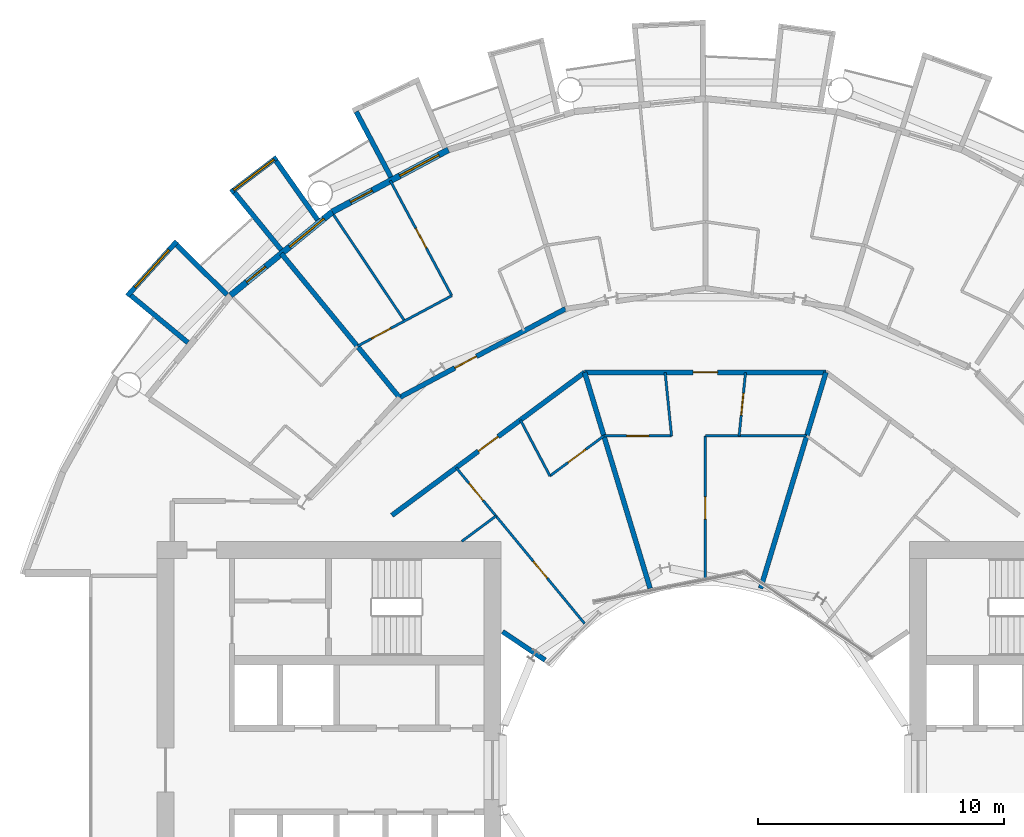
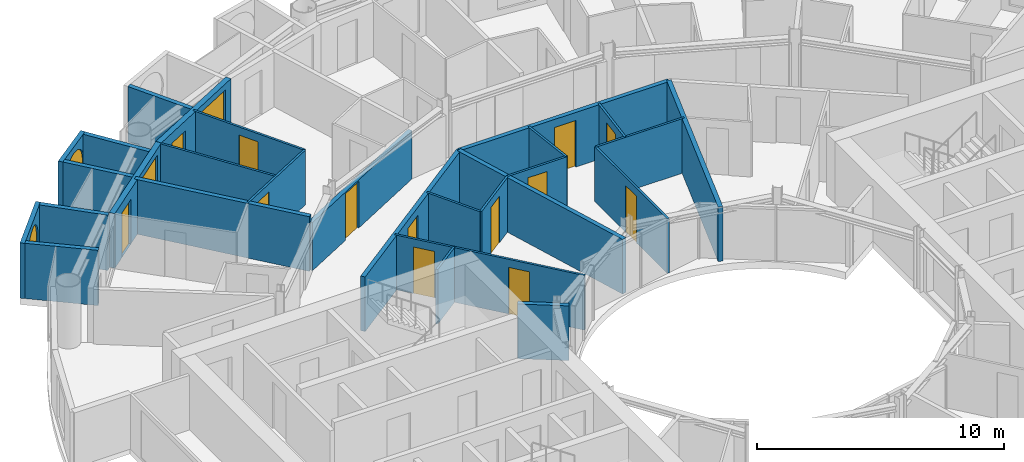
# One storey, part 19 of 26: 28 walls, 13 doors, 4 windows, 17 openings.
"""IFC4 building model written with IfcOpenShell, lengths in metres."""

from ifc_helpers import new_model, si_unit, direction, frame, frame_2d, origin, place, context, subcontext, project, spatial, rectangle, circle, extrude, material, layer, layer_set, type_object, element, fill, save


model = new_model("IFC4")

# Units and contexts
model_context = context("Model", 3, precision=1e-05, world=origin(), true_north=direction((0.0, 1.0)))
body_context = subcontext(model_context, "Body", "Model", "MODEL_VIEW")
ifc_project = project(units=[si_unit("LENGTHUNIT", "METRE"), si_unit("AREAUNIT", "SQUARE_METRE"), si_unit("VOLUMEUNIT", "CUBIC_METRE"), si_unit("PLANEANGLEUNIT", "RADIAN"), si_unit("MASSUNIT", "GRAM", prefix="KILO")], contexts=[model_context])

# Site, building, storey
site_placement = place(None, origin())
site = spatial("IfcSite", under=ifc_project, at=site_placement, CompositionType="ELEMENT")
building_placement = place(site_placement, origin())
building = spatial("IfcBuilding", under=site, at=building_placement, Name="Maasbend Ring Residences", CompositionType="ELEMENT")
storey_placement = place(building_placement, frame((0.0, 0.0, 75.800048828125)))
storey = spatial("IfcBuildingStorey", under=building, at=storey_placement, Name="L21", CompositionType="ELEMENT", Elevation=75.800048828125)

# Wall, opening, door
ifc_material_1 = material(Name="Concrete C30/37", Category="concrete")
ifc_layer_1 = layer(ifc_material_1, 0.199951171875)
ifc_layer_set_1 = layer_set([ifc_layer_1], Name="Concrete C30/37")
wall_type_1 = type_object("IfcWallType", Name="CORRIDOR WALL 200 CONCRETE", PredefinedType="PARTITIONING", material=ifc_layer_set_1)
wall_1_placement = place(storey_placement, frame((-12.7451171875, 10.35791015625, 0.0), z_axis=(0.0, 0.0, 1.0), x_axis=(0.803191461888, 0.595720971219, 0.0)))
wall_1 = element("IfcWall", 1, at=wall_1_placement, inside=storey, type_object=wall_type_1, Name="U-L21-w104", PredefinedType="PARTITIONING", context=body_context, shape_type="SweptSolid", body=[
    extrude(rectangle(XDim=9.760009765625, YDim=0.199951171875, at=frame_2d((4.8798828125, 0.0))), origin(), (0.0, 0.0, 1.0), 2.699951171875),
])
opening_1_placement = place(wall_1_placement, frame((4.3798828125, 0.0, 0.0)))
opening_1 = element("IfcOpeningElement", 2, at=opening_1_placement, cuts=wall_1, Name="Opening D-2129", PredefinedType="OPENING", context=body_context, shape_type="SweptSolid", body=[
    extrude(rectangle(XDim=1.0, YDim=2.300048828125, at=frame_2d((0.5, 1.14990234375))), frame((0.0, 0.10986328125, 0.0), z_axis=(0.0, -1.0, 0.0), x_axis=(1.0, 0.0, 0.0)), (0.0, 0.0, 1.0), 0.219970703125),
])
ifc_material_2 = material(Name="Timber, fire-rated, painted", Category="wood")
door_type_1 = type_object("IfcDoorType", Name="FLAT ENTRANCE DOOR 1000 X 2300 FIRE-RATED", OperationType="NOTDEFINED", PredefinedType="DOOR", material=ifc_material_2)
door_1_placement = place(opening_1_placement, origin())
door_1 = element("IfcDoor", 3, at=door_1_placement, inside=storey, type_object=door_type_1, Name="D-2129", OperationType="SINGLE_SWING_RIGHT", OverallHeight=2.300048828125, OverallWidth=1.0, PredefinedType="DOOR", context=body_context, shape_type="SweptSolid", body=[
    extrude(rectangle(XDim=1.0, YDim=2.300048828125, at=frame_2d((0.5, 1.14990234375))), frame((0.0, 0.02490234375, 0.0), z_axis=(0.0, -1.0, 0.0), x_axis=(1.0, 0.0, 0.0)), (0.0, 0.0, 1.0), 0.050048828125),
])
fill(opening_1, door_1)

wall_2_placement = place(storey_placement, frame((-4.906005859375, 16.172119140625, 0.0), z_axis=(0.0, 0.0, 1.0), x_axis=(1.0, 0.0, 0.0)))
wall_2 = element("IfcWall", 4, at=wall_2_placement, inside=storey, type_object=wall_type_1, Name="U-L21-w106", PredefinedType="PARTITIONING", context=body_context, shape_type="SweptSolid", body=[
    extrude(rectangle(XDim=9.81201171875, YDim=0.199951171875, at=frame_2d((4.906005859375, 0.0))), origin(), (0.0, 0.0, 1.0), 2.699951171875),
])
opening_2_placement = place(wall_2_placement, frame((4.406005859375, 0.0, 0.0)))
opening_2 = element("IfcOpeningElement", 5, at=opening_2_placement, cuts=wall_2, Name="Opening D-2125", PredefinedType="OPENING", context=body_context, shape_type="SweptSolid", body=[
    extrude(rectangle(XDim=1.0, YDim=2.300048828125, at=frame_2d((0.5, 1.14990234375))), frame((0.0, 0.10986328125, 0.0), z_axis=(0.0, -1.0, 0.0), x_axis=(1.0, 0.0, 0.0)), (0.0, 0.0, 1.0), 0.219970703125),
])
door_2_placement = place(opening_2_placement, origin())
door_2 = element("IfcDoor", 6, at=door_2_placement, inside=storey, type_object=door_type_1, Name="D-2125", OperationType="SINGLE_SWING_LEFT", OverallHeight=2.300048828125, OverallWidth=1.0, PredefinedType="DOOR", context=body_context, shape_type="SweptSolid", body=[
    extrude(rectangle(XDim=1.0, YDim=2.300048828125, at=frame_2d((0.5, 1.14990234375))), frame((0.0, 0.02490234375, 0.0), z_axis=(0.0, -1.0, 0.0), x_axis=(1.0, 0.0, 0.0)), (0.0, 0.0, 1.0), 0.050048828125),
])
fill(opening_2, door_2)

wall_3_placement = place(storey_placement, frame((-12.43408203125, 15.15087890625, 0.0), z_axis=(0.0, 0.0, 1.0), x_axis=(0.881899173092, 0.47143806433, 0.0)))
wall_3 = element("IfcWall", 7, at=wall_3_placement, inside=storey, type_object=wall_type_1, Name="U-L21-w107", PredefinedType="PARTITIONING", context=body_context, shape_type="SweptSolid", body=[
    extrude(rectangle(XDim=7.647216796875, YDim=0.199951171875, at=frame_2d((3.82373046875, 0.0))), origin(), (0.0, 0.0, 1.0), 2.3798828125),
])
opening_3_placement = place(wall_3_placement, frame((2.550048828125, 0.0, 0.0)))
opening_3 = element("IfcOpeningElement", 8, at=opening_3_placement, cuts=wall_3, Name="Opening D-2114", PredefinedType="OPENING", context=body_context, shape_type="SweptSolid", body=[
    extrude(rectangle(XDim=1.0, YDim=2.300048828125, at=frame_2d((0.5, 1.14990234375))), frame((0.0, 0.10986328125, 0.0), z_axis=(0.0, -1.0, 0.0), x_axis=(1.0, 0.0, 0.0)), (0.0, 0.0, 1.0), 0.219970703125),
])
door_3_placement = place(opening_3_placement, origin())
door_3 = element("IfcDoor", 9, at=door_3_placement, inside=storey, type_object=door_type_1, Name="D-2114", OperationType="SINGLE_SWING_LEFT", OverallHeight=2.300048828125, OverallWidth=1.0, PredefinedType="DOOR", context=body_context, shape_type="SweptSolid", body=[
    extrude(rectangle(XDim=1.0, YDim=2.300048828125, at=frame_2d((0.5, 1.14990234375))), frame((0.0, 0.02490234375, 0.0), z_axis=(0.0, -1.0, 0.0), x_axis=(1.0, 0.0, 0.0)), (0.0, 0.0, 1.0), 0.050048828125),
])
fill(opening_3, door_3)

# Wall
ifc_material_3 = material(Name="Pale anodised aluminium panel", Category="aluminium")
ifc_layer_2 = layer(ifc_material_3, 0.199951171875)
ifc_layer_set_2 = layer_set([ifc_layer_2], Name="EW-BOX")
wall_type_2 = type_object("IfcWallType", Name="EW-BOX", PredefinedType="SOLIDWALL", material=ifc_layer_set_2)
wall_4_placement = place(storey_placement, frame((-12.787109375, 24.113037109375, -0.030029296875), z_axis=(0.0, 0.0, 1.0), x_axis=(-0.468365282436, 0.883534924159, 0.0)))
element("IfcWall", 10, at=wall_4_placement, inside=storey, type_object=wall_type_2, Name="Box side wall N15 right", PredefinedType="SOLIDWALL", context=body_context, shape_type="SweptSolid", body=[
    extrude(rectangle(XDim=3.006103515625, YDim=0.199951171875, at=frame_2d((1.5029296875, 0.0))), origin(), (0.0, 0.0, 1.0), 2.72998046875),
])

# Wall, opening, window
wall_5_placement = place(storey_placement, frame((-17.427001953125, 24.908935546875, -0.030029296875), z_axis=(0.0, 0.0, 1.0), x_axis=(-0.796842165306, -0.60418752353, 0.0)))
wall_5 = element("IfcWall", 11, at=wall_5_placement, inside=storey, type_object=wall_type_2, Name="Box front N17", PredefinedType="SOLIDWALL", context=body_context, shape_type="SweptSolid", body=[
    extrude(rectangle(XDim=2.3369140625, YDim=0.199951171875, at=frame_2d((1.16845703125, 0.0))), origin(), (0.0, 0.0, 1.0), 2.72998046875),
])
opening_4_placement = place(wall_5_placement, frame((0.128173828125, 0.0, 0.330078125)))
opening_4 = element("IfcOpeningElement", 12, at=opening_4_placement, cuts=wall_5, Name="Opening W-RD", PredefinedType="OPENING", context=body_context, shape_type="SweptSolid", body=[
    extrude(circle(Radius=1.0400390625, at=frame_2d((1.0400390625, 1.0400390625))), frame((0.0, 0.10986328125, 0.0), z_axis=(0.0, -1.0, 0.0), x_axis=(1.0, 0.0, 0.0)), (0.0, 0.0, 1.0), 0.219970703125),
])
ifc_material_4 = material(Name="Aluminium and clear glass", Category="aluminium")
window_type_1 = type_object("IfcWindowType", Name="W-RD", PartitioningType="SINGLE_PANEL", PredefinedType="WINDOW", material=ifc_material_4)
window_1_placement = place(opening_4_placement, origin())
window_1 = element("IfcWindow", 13, at=window_1_placement, inside=storey, type_object=window_type_1, Name="Round window N17", OverallHeight=2.080078125, OverallWidth=2.080078125, PartitioningType="SINGLE_PANEL", PredefinedType="WINDOW", context=body_context, shape_type="SweptSolid", body=[
    extrude(circle(Radius=1.0400390625, at=frame_2d((1.0400390625, 1.0400390625))), frame((0.0, 0.030029296875, 0.0), z_axis=(0.0, -1.0, 0.0), x_axis=(1.0, 0.0, 0.0)), (0.0, 0.0, 1.0), 0.06005859375),
])
fill(opening_4, window_1)

# Walls
wall_6_placement = place(storey_placement, frame((-15.764892578125, 22.3701171875, -0.030029296875), z_axis=(0.0, 0.0, 1.0), x_axis=(-0.576274612209, 0.817256123454, 0.0)))
element("IfcWall", 14, at=wall_6_placement, inside=storey, type_object=wall_type_2, Name="Box side wall N17 left", PredefinedType="SOLIDWALL", context=body_context, shape_type="SweptSolid", body=[
    extrude(rectangle(XDim=2.932861328125, YDim=0.199951171875, at=frame_2d((1.46630859375, 0.0))), origin(), (0.0, 0.0, 1.0), 2.72998046875),
])
wall_7_placement = place(storey_placement, frame((-17.24609375, 21.155029296875, -0.030029296875), z_axis=(0.0, 0.0, 1.0), x_axis=(-0.631741648902, 0.775179004516, 0.0)))
element("IfcWall", 15, at=wall_7_placement, inside=storey, type_object=wall_type_2, Name="Box side wall N17 right", PredefinedType="SOLIDWALL", context=body_context, shape_type="SweptSolid", body=[
    extrude(rectangle(XDim=3.005859375, YDim=0.199951171875, at=frame_2d((1.5029296875, 0.0))), origin(), (0.0, 0.0, 1.0), 2.72998046875),
])

# Wall, opening, window
wall_8_placement = place(storey_placement, frame((-21.492919921875, 21.5, -0.030029296875), z_axis=(0.0, 0.0, 1.0), x_axis=(-0.671506829416, -0.740998365753, 0.0)))
wall_8 = element("IfcWall", 16, at=wall_8_placement, inside=storey, type_object=wall_type_2, Name="Box front N19", PredefinedType="SOLIDWALL", context=body_context, shape_type="SweptSolid", body=[
    extrude(rectangle(XDim=2.9931640625, YDim=0.199951171875, at=frame_2d((1.49658203125, 0.0))), origin(), (0.0, 0.0, 1.0), 2.72998046875),
])
opening_5_placement = place(wall_8_placement, frame((0.45654296875, 0.0, 0.330078125)))
opening_5 = element("IfcOpeningElement", 17, at=opening_5_placement, cuts=wall_8, Name="Opening W-RD", PredefinedType="OPENING", context=body_context, shape_type="SweptSolid", body=[
    extrude(circle(Radius=1.0400390625, at=frame_2d((1.0400390625, 1.0400390625))), frame((0.0, 0.10986328125, 0.0), z_axis=(0.0, -1.0, 0.0), x_axis=(1.0, 0.0, 0.0)), (0.0, 0.0, 1.0), 0.219970703125),
])
window_2_placement = place(opening_5_placement, origin())
window_2 = element("IfcWindow", 18, at=window_2_placement, inside=storey, type_object=window_type_1, Name="Round window N19", OverallHeight=2.080078125, OverallWidth=2.080078125, PartitioningType="SINGLE_PANEL", PredefinedType="WINDOW", context=body_context, shape_type="SweptSolid", body=[
    extrude(circle(Radius=1.0400390625, at=frame_2d((1.0400390625, 1.0400390625))), frame((0.0, 0.030029296875, 0.0), z_axis=(0.0, -1.0, 0.0), x_axis=(1.0, 0.0, 0.0)), (0.0, 0.0, 1.0), 0.06005859375),
])
fill(opening_5, window_2)

# Walls
wall_9_placement = place(storey_placement, frame((-19.449951171875, 19.322998046875, -0.030029296875), z_axis=(0.0, 0.0, 1.0), x_axis=(-0.709727076896, 0.704476739375, 0.0)))
element("IfcWall", 19, at=wall_9_placement, inside=storey, type_object=wall_type_2, Name="Box side wall N19 left", PredefinedType="SOLIDWALL", context=body_context, shape_type="SweptSolid", body=[
    extrude(rectangle(XDim=2.883056640625, YDim=0.199951171875, at=frame_2d((1.44140625, 0.0))), origin(), (0.0, 0.0, 1.0), 2.72998046875),
])
wall_10_placement = place(storey_placement, frame((-21.041015625, 17.384033203125, -0.030029296875), z_axis=(0.0, 0.0, 1.0), x_axis=(-0.770784861449, 0.63709551667, 0.0)))
element("IfcWall", 20, at=wall_10_placement, inside=storey, type_object=wall_type_2, Name="Box side wall N19 right", PredefinedType="SOLIDWALL", context=body_context, shape_type="SweptSolid", body=[
    extrude(rectangle(XDim=3.005859375, YDim=0.199951171875, at=frame_2d((1.5029296875, 0.0))), origin(), (0.0, 0.0, 1.0), 2.72998046875),
])

# Wall, openings, door, window
ifc_material_5 = material(Name="Aluminium clad insulated panel", Category="aluminium")
ifc_layer_3 = layer(ifc_material_5, 0.25)
ifc_layer_set_3 = layer_set([ifc_layer_3], Name="EW-GL")
wall_type_3 = type_object("IfcWallType", Name="EW-GL", PredefinedType="SOLIDWALL", material=ifc_layer_set_3)
wall_11_placement = place(storey_placement, frame((-10.447021484375, 25.221923828125, 0.0), z_axis=(0.0, 0.0, 1.0), x_axis=(-0.881915646801, -0.471407246368, 0.0)))
wall_11 = element("IfcWall", 21, at=wall_11_placement, inside=storey, type_object=wall_type_3, Name="External wall N08", PredefinedType="SOLIDWALL", context=body_context, shape_type="SweptSolid", body=[
    extrude(rectangle(XDim=5.35205078125, YDim=0.25, at=frame_2d((2.676025390625, 0.0))), origin(), (0.0, 0.0, 1.0), 2.699951171875),
])
opening_6_placement = place(wall_11_placement, frame((0.441162109375, 0.0, 0.300048828125)))
opening_6 = element("IfcOpeningElement", 22, at=opening_6_placement, cuts=wall_11, Name="Opening W-BX", PredefinedType="OPENING", context=body_context, shape_type="SweptSolid", body=[
    extrude(rectangle(XDim=1.800048828125, YDim=2.10009765625, at=frame_2d((0.89990234375, 1.050048828125))), frame((0.0, 0.135009765625, 0.0), z_axis=(0.0, -1.0, 0.0), x_axis=(1.0, 0.0, 0.0)), (0.0, 0.0, 1.0), 0.27001953125),
])
opening_7_placement = place(wall_11_placement, frame((3.510498046875, 0.0, 0.0)))
opening_7 = element("IfcOpeningElement", 23, at=opening_7_placement, cuts=wall_11, Name="Opening D-LG", PredefinedType="OPENING", context=body_context, shape_type="SweptSolid", body=[
    extrude(rectangle(XDim=1.0, YDim=2.199951171875, at=frame_2d((0.5, 1.10009765625))), frame((0.0, 0.135009765625, 0.0), z_axis=(0.0, -1.0, 0.0), x_axis=(1.0, 0.0, 0.0)), (0.0, 0.0, 1.0), 0.27001953125),
])
ifc_material_6 = material(Name="Aluminium and clear glass", Category="aluminium")
door_type_2 = type_object("IfcDoorType", Name="D-LG", OperationType="SINGLE_SWING_LEFT", PredefinedType="DOOR", material=ifc_material_6)
door_4_placement = place(opening_7_placement, origin())
door_4 = element("IfcDoor", 24, at=door_4_placement, inside=storey, type_object=door_type_2, Name="Loggia door N16", OperationType="SINGLE_SWING_LEFT", OverallHeight=2.199951171875, OverallWidth=1.0, PredefinedType="DOOR", context=body_context, shape_type="SweptSolid", body=[
    extrude(rectangle(XDim=1.0, YDim=2.199951171875, at=frame_2d((0.5, 1.10009765625))), frame((0.0, 0.02490234375, 0.0), z_axis=(0.0, -1.0, 0.0), x_axis=(1.0, 0.0, 0.0)), (0.0, 0.0, 1.0), 0.050048828125),
])
fill(opening_7, door_4)
ifc_material_7 = material(Name="Aluminium and clear glass", Category="aluminium")
window_type_2 = type_object("IfcWindowType", Name="W-BX", PartitioningType="DOUBLE_PANEL_VERTICAL", PredefinedType="WINDOW", material=ifc_material_7)
window_3_placement = place(opening_6_placement, origin())
window_3 = element("IfcWindow", 25, at=window_3_placement, inside=storey, type_object=window_type_2, Name="Window N15 room to box", OverallHeight=2.10009765625, OverallWidth=1.800048828125, PartitioningType="SINGLE_PANEL", PredefinedType="WINDOW", context=body_context, shape_type="SweptSolid", body=[
    extrude(rectangle(XDim=1.800048828125, YDim=2.10009765625, at=frame_2d((0.89990234375, 1.050048828125))), frame((0.0, 0.030029296875, 0.0), z_axis=(0.0, -1.0, 0.0), x_axis=(1.0, 0.0, 0.0)), (0.0, 0.0, 1.0), 0.06005859375),
])
fill(opening_6, window_3)

wall_12_placement = place(storey_placement, frame((-15.1669921875, 22.698974609375, 0.0), z_axis=(0.0, 0.0, 1.0), x_axis=(-0.773019449054, -0.634382322723, 0.0)))
wall_12 = element("IfcWall", 26, at=wall_12_placement, inside=storey, type_object=wall_type_3, Name="External wall N09", PredefinedType="SOLIDWALL", context=body_context, shape_type="SweptSolid", body=[
    extrude(rectangle(XDim=5.351806640625, YDim=0.25, at=frame_2d((2.67578125, 0.0))), origin(), (0.0, 0.0, 1.0), 2.699951171875),
])
opening_8_placement = place(wall_12_placement, frame((0.441162109375, 0.0, 0.300048828125)))
opening_8 = element("IfcOpeningElement", 27, at=opening_8_placement, cuts=wall_12, Name="Opening W-BX", PredefinedType="OPENING", context=body_context, shape_type="SweptSolid", body=[
    extrude(rectangle(XDim=1.800048828125, YDim=2.10009765625, at=frame_2d((0.89990234375, 1.050048828125))), frame((0.0, 0.135009765625, 0.0), z_axis=(0.0, -1.0, 0.0), x_axis=(1.0, 0.0, 0.0)), (0.0, 0.0, 1.0), 0.27001953125),
])
opening_9_placement = place(wall_12_placement, frame((3.510498046875, 0.0, 0.0)))
opening_9 = element("IfcOpeningElement", 28, at=opening_9_placement, cuts=wall_12, Name="Opening D-LG", PredefinedType="OPENING", context=body_context, shape_type="SweptSolid", body=[
    extrude(rectangle(XDim=1.0, YDim=2.199951171875, at=frame_2d((0.5, 1.10009765625))), frame((0.0, 0.135009765625, 0.0), z_axis=(0.0, -1.0, 0.0), x_axis=(1.0, 0.0, 0.0)), (0.0, 0.0, 1.0), 0.27001953125),
])
door_5_placement = place(opening_9_placement, origin())
door_5 = element("IfcDoor", 29, at=door_5_placement, inside=storey, type_object=door_type_2, Name="Loggia door N18", OperationType="SINGLE_SWING_LEFT", OverallHeight=2.199951171875, OverallWidth=1.0, PredefinedType="DOOR", context=body_context, shape_type="SweptSolid", body=[
    extrude(rectangle(XDim=1.0, YDim=2.199951171875, at=frame_2d((0.5, 1.10009765625))), frame((0.0, 0.02490234375, 0.0), z_axis=(0.0, -1.0, 0.0), x_axis=(1.0, 0.0, 0.0)), (0.0, 0.0, 1.0), 0.050048828125),
])
fill(opening_9, door_5)
window_4_placement = place(opening_8_placement, origin())
window_4 = element("IfcWindow", 30, at=window_4_placement, inside=storey, type_object=window_type_2, Name="Window N17 room to box", OverallHeight=2.10009765625, OverallWidth=1.800048828125, PartitioningType="SINGLE_PANEL", PredefinedType="WINDOW", context=body_context, shape_type="SweptSolid", body=[
    extrude(rectangle(XDim=1.800048828125, YDim=2.10009765625, at=frame_2d((0.89990234375, 1.050048828125))), frame((0.0, 0.030029296875, 0.0), z_axis=(0.0, -1.0, 0.0), x_axis=(1.0, 0.0, 0.0)), (0.0, 0.0, 1.0), 0.06005859375),
])
fill(opening_8, window_4)

# Wall
ifc_material_8 = material(Name="Gypsum board on steel studs", Category="steel")
ifc_layer_4 = layer(ifc_material_8, 0.10009765625)
ifc_layer_set_4 = layer_set([ifc_layer_4], Name="PARTITION 100 GYPSUM")
wall_type_4 = type_object("IfcWallType", Name="PARTITION 100 GYPSUM", PredefinedType="PARTITIONING", material=ifc_layer_set_4)
wall_13_placement = place(storey_placement, frame((-15.118896484375, 22.5810546875, 0.0), z_axis=(0.0, 0.0, 1.0), x_axis=(0.556271707676, -0.83100047367, 0.0)))
element("IfcWall", 31, at=wall_13_placement, inside=storey, type_object=wall_type_4, Name="U-L21-w044", PredefinedType="PARTITIONING", context=body_context, shape_type="SweptSolid", body=[
    extrude(rectangle(XDim=5.195068359375, YDim=0.10009765625, at=frame_2d((2.59765625, 0.0))), origin(), (0.0, 0.0, 1.0), 2.699951171875),
])

# Wall, opening, door
wall_14_placement = place(storey_placement, frame((-12.81005859375, 23.966064453125, 0.0), z_axis=(0.0, 0.0, 1.0), x_axis=(0.47140999111, -0.881914179658, 0.0)))
wall_14 = element("IfcWall", 32, at=wall_14_placement, inside=storey, type_object=wall_type_4, Name="U-L21-w045", PredefinedType="PARTITIONING", context=body_context, shape_type="SweptSolid", body=[
    extrude(rectangle(XDim=5.30322265625, YDim=0.10009765625, at=frame_2d((2.651611328125, 0.0))), origin(), (0.0, 0.0, 1.0), 2.699951171875),
])
opening_10_placement = place(wall_14_placement, frame((2.201904296875, 0.0, 0.0)))
opening_10 = element("IfcOpeningElement", 33, at=opening_10_placement, cuts=wall_14, Name="Opening D-2116", PredefinedType="OPENING", context=body_context, shape_type="SweptSolid", body=[
    extrude(rectangle(XDim=0.89990234375, YDim=2.300048828125, at=frame_2d((0.449951171875, 1.14990234375))), frame((0.0, 0.06005859375, 0.0), z_axis=(0.0, -1.0, 0.0), x_axis=(1.0, 0.0, 0.0)), (0.0, 0.0, 1.0), 0.1201171875),
])
ifc_material_9 = material(Name="Timber, painted", Category="wood")
door_type_3 = type_object("IfcDoorType", Name="INTERNAL DOOR 900 X 2300", OperationType="NOTDEFINED", PredefinedType="DOOR", material=ifc_material_9)
door_6_placement = place(opening_10_placement, origin())
door_6 = element("IfcDoor", 34, at=door_6_placement, inside=storey, type_object=door_type_3, Name="D-2116", OperationType="SINGLE_SWING_RIGHT", OverallHeight=2.300048828125, OverallWidth=0.89990234375, PredefinedType="DOOR", context=body_context, shape_type="SweptSolid", body=[
    extrude(rectangle(XDim=0.89990234375, YDim=2.300048828125, at=frame_2d((0.449951171875, 1.14990234375))), frame((0.0, 0.02490234375, 0.0), z_axis=(0.0, -1.0, 0.0), x_axis=(1.0, 0.0, 0.0)), (0.0, 0.0, 1.0), 0.050048828125),
])
fill(opening_10, door_6)

# Wall, openings, doors
wall_15_placement = place(storey_placement, frame((-10.132080078125, 12.2958984375, 0.0), z_axis=(0.0, 0.0, 1.0), x_axis=(0.635976043025, -0.771708800454, 0.0)))
wall_15 = element("IfcWall", 35, at=wall_15_placement, inside=storey, type_object=wall_type_4, Name="U-L21-w050", PredefinedType="PARTITIONING", context=body_context, shape_type="SweptSolid", body=[
    extrude(rectangle(XDim=8.212890625, YDim=0.10009765625, at=frame_2d((4.1064453125, 0.0))), origin(), (0.0, 0.0, 1.0), 2.699951171875),
])
opening_11_placement = place(wall_15_placement, frame((0.822998046875, 0.0, 0.0)))
opening_11 = element("IfcOpeningElement", 36, at=opening_11_placement, cuts=wall_15, Name="Opening D-2131", PredefinedType="OPENING", context=body_context, shape_type="SweptSolid", body=[
    extrude(rectangle(XDim=0.89990234375, YDim=2.300048828125, at=frame_2d((0.449951171875, 1.14990234375))), frame((0.0, 0.06005859375, 0.0), z_axis=(0.0, -1.0, 0.0), x_axis=(1.0, 0.0, 0.0)), (0.0, 0.0, 1.0), 0.1201171875),
])
opening_12_placement = place(wall_15_placement, frame((4.928955078125, 0.0, 0.0)))
opening_12 = element("IfcOpeningElement", 37, at=opening_12_placement, cuts=wall_15, Name="Opening D-2132", PredefinedType="OPENING", context=body_context, shape_type="SweptSolid", body=[
    extrude(rectangle(XDim=0.89990234375, YDim=2.300048828125, at=frame_2d((0.449951171875, 1.14990234375))), frame((0.0, 0.06005859375, 0.0), z_axis=(0.0, -1.0, 0.0), x_axis=(1.0, 0.0, 0.0)), (0.0, 0.0, 1.0), 0.1201171875),
])
door_7_placement = place(opening_11_placement, origin())
door_7 = element("IfcDoor", 38, at=door_7_placement, inside=storey, type_object=door_type_3, Name="D-2131", OperationType="SINGLE_SWING_LEFT", OverallHeight=2.300048828125, OverallWidth=0.89990234375, PredefinedType="DOOR", context=body_context, shape_type="SweptSolid", body=[
    extrude(rectangle(XDim=0.89990234375, YDim=2.300048828125, at=frame_2d((0.449951171875, 1.14990234375))), frame((0.0, 0.02490234375, 0.0), z_axis=(0.0, -1.0, 0.0), x_axis=(1.0, 0.0, 0.0)), (0.0, 0.0, 1.0), 0.050048828125),
])
fill(opening_11, door_7)
door_8_placement = place(opening_12_placement, origin())
door_8 = element("IfcDoor", 39, at=door_8_placement, inside=storey, type_object=door_type_3, Name="D-2132", OperationType="SINGLE_SWING_RIGHT", OverallHeight=2.300048828125, OverallWidth=0.89990234375, PredefinedType="DOOR", context=body_context, shape_type="SweptSolid", body=[
    extrude(rectangle(XDim=0.89990234375, YDim=2.300048828125, at=frame_2d((0.449951171875, 1.14990234375))), frame((0.0, 0.02490234375, 0.0), z_axis=(0.0, -1.0, 0.0), x_axis=(1.0, 0.0, 0.0)), (0.0, 0.0, 1.0), 0.050048828125),
])
fill(opening_12, door_8)

# Walls
wall_16_placement = place(storey_placement, frame((-7.51904296875, 14.23388671875, 0.0), z_axis=(0.0, 0.0, 1.0), x_axis=(0.467001992543, -0.884256263173, 0.0)))
element("IfcWall", 40, at=wall_16_placement, inside=storey, type_object=wall_type_4, Name="U-L21-w055", PredefinedType="PARTITIONING", context=body_context, shape_type="SweptSolid", body=[
    extrude(rectangle(XDim=2.571533203125, YDim=0.10009765625, at=frame_2d((1.28564453125, 0.0))), origin(), (0.0, 0.0, 1.0), 2.699951171875),
])
wall_17_placement = place(storey_placement, frame((-1.635009765625, 16.172119140625, 0.0), z_axis=(0.0, 0.0, 1.0), x_axis=(0.100527855112, -0.994934244233, 0.0)))
element("IfcWall", 41, at=wall_17_placement, inside=storey, type_object=wall_type_4, Name="U-L21-w062", PredefinedType="PARTITIONING", context=body_context, shape_type="SweptSolid", body=[
    extrude(rectangle(XDim=2.59619140625, YDim=0.10009765625, at=frame_2d((1.298095703125, 0.0))), origin(), (0.0, 0.0, 1.0), 2.699951171875),
])

# Wall, opening, door
wall_18_placement = place(storey_placement, frame((0.0, 7.719970703125, 0.0), z_axis=(0.0, 0.0, 1.0), x_axis=(0.0, 1.0, 0.0)))
wall_18 = element("IfcWall", 42, at=wall_18_placement, inside=storey, type_object=wall_type_4, Name="U-L21-w065", PredefinedType="PARTITIONING", context=body_context, shape_type="SweptSolid", body=[
    extrude(rectangle(XDim=5.869140625, YDim=0.10009765625, at=frame_2d((2.9345703125, 0.0))), origin(), (0.0, 0.0, 1.0), 2.699951171875),
])
opening_13_placement = place(wall_18_placement, frame((2.485107421875, 0.0, 0.0)))
opening_13 = element("IfcOpeningElement", 43, at=opening_13_placement, cuts=wall_18, Name="Opening D-2128", PredefinedType="OPENING", context=body_context, shape_type="SweptSolid", body=[
    extrude(rectangle(XDim=0.89990234375, YDim=2.300048828125, at=frame_2d((0.449951171875, 1.14990234375))), frame((0.0, 0.06005859375, 0.0), z_axis=(0.0, -1.0, 0.0), x_axis=(1.0, 0.0, 0.0)), (0.0, 0.0, 1.0), 0.1201171875),
])
door_9_placement = place(opening_13_placement, origin())
door_9 = element("IfcDoor", 44, at=door_9_placement, inside=storey, type_object=door_type_3, Name="D-2128", OperationType="SINGLE_SWING_RIGHT", OverallHeight=2.300048828125, OverallWidth=0.89990234375, PredefinedType="DOOR", context=body_context, shape_type="SweptSolid", body=[
    extrude(rectangle(XDim=0.89990234375, YDim=2.300048828125, at=frame_2d((0.449951171875, 1.14990234375))), frame((0.0, 0.02490234375, 0.0), z_axis=(0.0, -1.0, 0.0), x_axis=(1.0, 0.0, 0.0)), (0.0, 0.0, 1.0), 0.050048828125),
])
fill(opening_13, door_9)

wall_19_placement = place(storey_placement, frame((1.3740234375, 13.589111328125, 0.0), z_axis=(0.0, 0.0, 1.0), x_axis=(0.100527855112, 0.994934244233, 0.0)))
wall_19 = element("IfcWall", 45, at=wall_19_placement, inside=storey, type_object=wall_type_4, Name="U-L21-w067", PredefinedType="PARTITIONING", context=body_context, shape_type="SweptSolid", body=[
    extrude(rectangle(XDim=2.59619140625, YDim=0.10009765625, at=frame_2d((1.298095703125, 0.0))), origin(), (0.0, 0.0, 1.0), 2.699951171875),
])
opening_14_placement = place(wall_19_placement, frame((0.847900390625, 0.0, 0.0)))
opening_14 = element("IfcOpeningElement", 46, at=opening_14_placement, cuts=wall_19, Name="Opening D-2127", PredefinedType="OPENING", context=body_context, shape_type="SweptSolid", body=[
    extrude(rectangle(XDim=0.89990234375, YDim=2.300048828125, at=frame_2d((0.449951171875, 1.14990234375))), frame((0.0, 0.06005859375, 0.0), z_axis=(0.0, -1.0, 0.0), x_axis=(1.0, 0.0, 0.0)), (0.0, 0.0, 1.0), 0.1201171875),
])
door_10_placement = place(opening_14_placement, origin())
door_10 = element("IfcDoor", 47, at=door_10_placement, inside=storey, type_object=door_type_3, Name="D-2127", OperationType="SINGLE_SWING_RIGHT", OverallHeight=2.300048828125, OverallWidth=0.89990234375, PredefinedType="DOOR", context=body_context, shape_type="SweptSolid", body=[
    extrude(rectangle(XDim=0.89990234375, YDim=2.300048828125, at=frame_2d((0.449951171875, 1.14990234375))), frame((0.0, 0.02490234375, 0.0), z_axis=(0.0, -1.0, 0.0), x_axis=(1.0, 0.0, 0.0)), (0.0, 0.0, 1.0), 0.050048828125),
])
fill(opening_14, door_10)

# Wall
wall_20_placement = place(storey_placement, frame((-9.903076171875, 9.300048828125, 0.0), z_axis=(0.0, 0.0, 1.0), x_axis=(0.803135014325, 0.595797070121, 0.0)))
element("IfcWall", 48, at=wall_20_placement, inside=storey, type_object=wall_type_4, Name="U-L21-w098", PredefinedType="PARTITIONING", context=body_context, shape_type="SweptSolid", body=[
    extrude(rectangle(XDim=1.732177734375, YDim=0.10009765625, at=frame_2d((0.8662109375, 0.0))), origin(), (0.0, 0.0, 1.0), 2.699951171875),
])

# Wall, opening, door
wall_21_placement = place(storey_placement, frame((-6.318115234375, 11.9599609375, 0.0), z_axis=(0.0, 0.0, 1.0), x_axis=(0.803128348509, 0.595806055542, 0.0)))
wall_21 = element("IfcWall", 49, at=wall_21_placement, inside=storey, type_object=wall_type_4, Name="U-L21-w099", PredefinedType="PARTITIONING", context=body_context, shape_type="SweptSolid", body=[
    extrude(rectangle(XDim=2.734375, YDim=0.10009765625, at=frame_2d((1.3671875, 0.0))), origin(), (0.0, 0.0, 1.0), 2.699951171875),
])
opening_15_placement = place(wall_21_placement, frame((0.9169921875, 0.0, 0.0)))
opening_15 = element("IfcOpeningElement", 50, at=opening_15_placement, cuts=wall_21, Name="Opening D-2130", PredefinedType="OPENING", context=body_context, shape_type="SweptSolid", body=[
    extrude(rectangle(XDim=0.89990234375, YDim=2.300048828125, at=frame_2d((0.449951171875, 1.14990234375))), frame((0.0, 0.06005859375, 0.0), z_axis=(0.0, -1.0, 0.0), x_axis=(1.0, 0.0, 0.0)), (0.0, 0.0, 1.0), 0.1201171875),
])
door_11_placement = place(opening_15_placement, origin())
door_11 = element("IfcDoor", 51, at=door_11_placement, inside=storey, type_object=door_type_3, Name="D-2130", OperationType="SINGLE_SWING_RIGHT", OverallHeight=2.300048828125, OverallWidth=0.89990234375, PredefinedType="DOOR", context=body_context, shape_type="SweptSolid", body=[
    extrude(rectangle(XDim=0.89990234375, YDim=2.300048828125, at=frame_2d((0.449951171875, 1.14990234375))), frame((0.0, 0.02490234375, 0.0), z_axis=(0.0, -1.0, 0.0), x_axis=(1.0, 0.0, 0.0)), (0.0, 0.0, 1.0), 0.050048828125),
])
fill(opening_15, door_11)

wall_22_placement = place(storey_placement, frame((-4.1220703125, 13.589111328125, 0.0), z_axis=(0.0, 0.0, 1.0), x_axis=(1.0, 0.0, 0.0)))
wall_22 = element("IfcWall", 52, at=wall_22_placement, inside=storey, type_object=wall_type_4, Name="U-L21-w102", PredefinedType="PARTITIONING", context=body_context, shape_type="SweptSolid", body=[
    extrude(rectangle(XDim=2.748046875, YDim=0.10009765625, at=frame_2d((1.3740234375, 0.0))), origin(), (0.0, 0.0, 1.0), 2.699951171875),
])
opening_16_placement = place(wall_22_placement, frame((0.924072265625, 0.0, 0.0)))
opening_16 = element("IfcOpeningElement", 53, at=opening_16_placement, cuts=wall_22, Name="Opening D-2126", PredefinedType="OPENING", context=body_context, shape_type="SweptSolid", body=[
    extrude(rectangle(XDim=0.89990234375, YDim=2.300048828125, at=frame_2d((0.449951171875, 1.14990234375))), frame((0.0, 0.06005859375, 0.0), z_axis=(0.0, -1.0, 0.0), x_axis=(1.0, 0.0, 0.0)), (0.0, 0.0, 1.0), 0.1201171875),
])
door_12_placement = place(opening_16_placement, origin())
door_12 = element("IfcDoor", 54, at=door_12_placement, inside=storey, type_object=door_type_3, Name="D-2126", OperationType="SINGLE_SWING_LEFT", OverallHeight=2.300048828125, OverallWidth=0.89990234375, PredefinedType="DOOR", context=body_context, shape_type="SweptSolid", body=[
    extrude(rectangle(XDim=0.89990234375, YDim=2.300048828125, at=frame_2d((0.449951171875, 1.14990234375))), frame((0.0, 0.02490234375, 0.0), z_axis=(0.0, -1.0, 0.0), x_axis=(1.0, 0.0, 0.0)), (0.0, 0.0, 1.0), 0.050048828125),
])
fill(opening_16, door_12)

# Wall
wall_23_placement = place(storey_placement, frame((0.0, 13.589111328125, 0.0), z_axis=(0.0, 0.0, 1.0), x_axis=(1.0, 0.0, 0.0)))
element("IfcWall", 55, at=wall_23_placement, inside=storey, type_object=wall_type_4, Name="U-L21-w103", PredefinedType="PARTITIONING", context=body_context, shape_type="SweptSolid", body=[
    extrude(rectangle(XDim=4.1220703125, YDim=0.10009765625, at=frame_2d((2.06103515625, 0.0))), origin(), (0.0, 0.0, 1.0), 2.699951171875),
])

# Wall, opening, door
wall_24_placement = place(storey_placement, frame((-14.14794921875, 17.236083984375, 0.0), z_axis=(0.0, 0.0, 1.0), x_axis=(0.881763472003, 0.471691826769, 0.0)))
wall_24 = element("IfcWall", 56, at=wall_24_placement, inside=storey, type_object=wall_type_4, Name="U-L21-w117", PredefinedType="PARTITIONING", context=body_context, shape_type="SweptSolid", body=[
    extrude(rectangle(XDim=4.350341796875, YDim=0.10009765625, at=frame_2d((2.17529296875, 0.0))), origin(), (0.0, 0.0, 1.0), 2.699951171875),
])
opening_17_placement = place(wall_24_placement, frame((0.638916015625, 0.0, 0.0)))
opening_17 = element("IfcOpeningElement", 57, at=opening_17_placement, cuts=wall_24, Name="Opening D-2117", PredefinedType="OPENING", context=body_context, shape_type="SweptSolid", body=[
    extrude(rectangle(XDim=0.89990234375, YDim=2.300048828125, at=frame_2d((0.449951171875, 1.14990234375))), frame((0.0, 0.06005859375, 0.0), z_axis=(0.0, -1.0, 0.0), x_axis=(1.0, 0.0, 0.0)), (0.0, 0.0, 1.0), 0.1201171875),
])
door_13_placement = place(opening_17_placement, origin())
door_13 = element("IfcDoor", 58, at=door_13_placement, inside=storey, type_object=door_type_3, Name="D-2117", OperationType="SINGLE_SWING_LEFT", OverallHeight=2.300048828125, OverallWidth=0.89990234375, PredefinedType="DOOR", context=body_context, shape_type="SweptSolid", body=[
    extrude(rectangle(XDim=0.89990234375, YDim=2.300048828125, at=frame_2d((0.449951171875, 1.14990234375))), frame((0.0, 0.02490234375, 0.0), z_axis=(0.0, -1.0, 0.0), x_axis=(1.0, 0.0, 0.0)), (0.0, 0.0, 1.0), 0.050048828125),
])
fill(opening_17, door_13)

# Walls
ifc_material_10 = material(Name="Concrete C30/37", Category="concrete")
ifc_layer_5 = layer(ifc_material_10, 0.199951171875)
ifc_layer_set_5 = layer_set([ifc_layer_5], Name="Concrete C30/37")
wall_type_5 = type_object("IfcWallType", Name="PARTY WALL 200 CONCRETE", PredefinedType="PARTITIONING", material=ifc_layer_set_5)
for number, where, z_axis, x_axis, name in (
    (59, (-4.906982421875, 16.172119140625, 0.0), (0.0, 0.0, 1.0), (0.289977130626, -0.957033575019, 0.0), "U-L21-w034"),
    (60, (2.2451171875, 7.386962890625, 0.0), (0.0, 0.0, 1.0), (0.289977130626, 0.957033575019, 0.0), "U-L21-w035"),
):
    element("IfcWall", number, at=place(storey_placement, frame(where, z_axis=z_axis, x_axis=x_axis)), inside=storey, type_object=wall_type_5, Name=name, PredefinedType="PARTITIONING", context=body_context, shape_type="SweptSolid", body=[
        extrude(rectangle(XDim=9.1796875, YDim=0.199951171875, at=frame_2d((4.58984375, 0.0))), origin(), (0.0, 0.0, 1.0), 2.699951171875),
    ])
wall_25_placement = place(storey_placement, frame((-17.242919921875, 21.0048828125, 0.0), z_axis=(0.0, 0.0, 1.0), x_axis=(0.63447412651, -0.772944100689, 0.0)))
element("IfcWall", 61, at=wall_25_placement, inside=storey, type_object=wall_type_5, Name="U-L21-w040", PredefinedType="PARTITIONING", context=body_context, shape_type="SweptSolid", body=[
    extrude(rectangle(XDim=7.576171875, YDim=0.199951171875, at=frame_2d((3.7880859375, 0.0))), origin(), (0.0, 0.0, 1.0), 2.699951171875),
])
wall_26_placement = place(storey_placement, frame((-6.512939453125, 4.471923828125, 0.0), z_axis=(0.0, 0.0, 1.0), x_axis=(-0.831382204863, 0.555701025225, 0.0)))
element("IfcWall", 62, at=wall_26_placement, inside=storey, type_object=wall_type_5, Name="U-L21-w094", PredefinedType="PARTITIONING", context=body_context, shape_type="SweptSolid", body=[
    extrude(rectangle(XDim=2.08203125, YDim=0.199951171875, at=frame_2d((1.041015625, 0.0))), origin(), (0.0, 0.0, 1.0), 2.699951171875),
])

save(model, "model.ifc")
